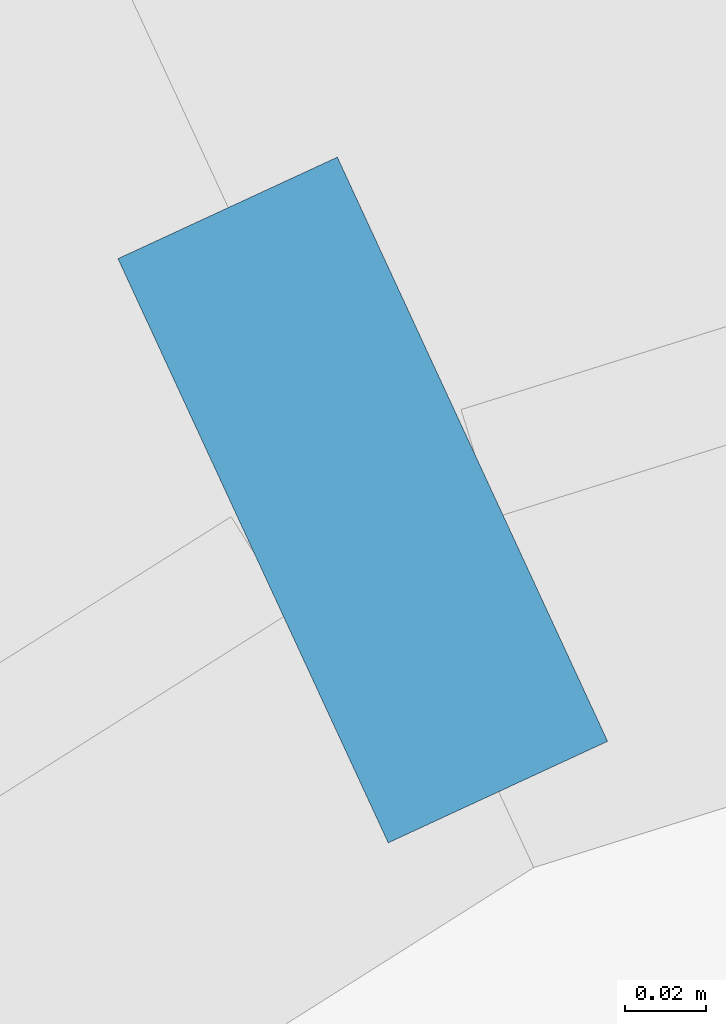
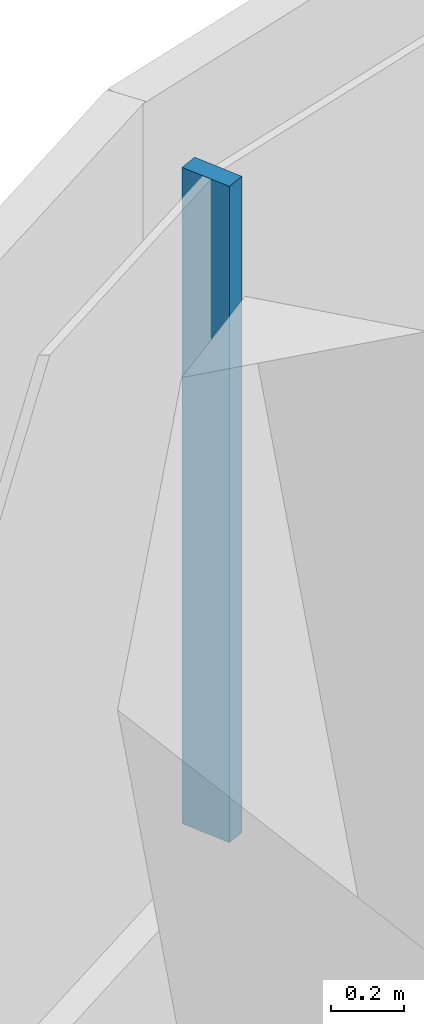
# One storey, part 20 of 36: 1 member, 1 element without a shape of its own.
"""IFC4 building model written with IfcOpenShell, lengths in metres."""

from ifc_helpers import new_model, si_unit, direction, frame, origin, origin_2d, place, context, subcontext, project, spatial, rectangle, extrude, material, layer, layer_set, material_profile, profile_set, type_object, element, aggregate, save


model = new_model("IFC4")

# Units and contexts
model_context = context("Model", 3, precision=1e-05, world=origin(), true_north=direction((0.0, 1.0)))
body_context = subcontext(model_context, "Body", "Model", "MODEL_VIEW")
ifc_project = project(units=[si_unit("LENGTHUNIT", "METRE"), si_unit("AREAUNIT", "SQUARE_METRE"), si_unit("VOLUMEUNIT", "CUBIC_METRE"), si_unit("PLANEANGLEUNIT", "RADIAN"), si_unit("MASSUNIT", "GRAM", prefix="KILO")], contexts=[model_context])

# Site, building, storey
site_placement = place(None, origin())
site = spatial("IfcSite", under=ifc_project, at=site_placement, CompositionType="ELEMENT")
building_placement = place(site_placement, origin())
building = spatial("IfcBuilding", under=site, at=building_placement, Name="Tamarind Cross Interchange Tower", CompositionType="ELEMENT")
storey_placement = place(building_placement, frame((0.0, 0.0, 151.75)))
storey = spatial("IfcBuildingStorey", under=building, at=storey_placement, Name="L37", CompositionType="ELEMENT", Elevation=151.75)

# Curtain wall, member
ifc_material = material(Name="Aluminium 6063-T6", Category="aluminium")
ifc_layer = layer(ifc_material, 0.159912109375)
ifc_layer_set = layer_set([ifc_layer], Name="Aluminium 6063-T6")
curtain_wall_type = type_object("IfcCurtainWallType", Name="Office curtain wall, 9.0 m bays", PredefinedType="NOTDEFINED", material=ifc_layer_set)
curtain_wall_placement = place(storey_placement, origin())
curtain_wall = element("IfcCurtainWall", 1, at=curtain_wall_placement, inside=storey, type_object=curtain_wall_type, Name="CWS-L37-13", PredefinedType="NOTDEFINED")
ifc_material_profile = material_profile(ifc_material, rectangle(XDim=0.06005859375, YDim=0.159912109375, at=origin_2d()), Name="Mullion CW1")
ifc_profile_set = profile_set([ifc_material_profile], Name="Aluminium 6063-T6")
member_type = type_object("IfcMemberType", Name="Mullion CW1", PredefinedType="MULLION", material=ifc_profile_set)
member_placement = place(storey_placement, frame((40.08740234375, 19.5263671875, 1.39990234375), z_axis=(0.0, 0.0, 1.0), x_axis=(-0.907569348858, -0.419902223158, 0.0)))
member = element("IfcMember", 2, at=member_placement, type_object=member_type, Name="CWM-L37-13-00", PredefinedType="MULLION", context=body_context, shape_type="SweptSolid", body=[
    extrude(rectangle(XDim=0.06005859375, YDim=0.159912109375, at=origin_2d()), origin(), (0.0, 0.0, 1.0), 2.210205078125),
])
aggregate(curtain_wall, [member])

save(model, "model.ifc")
